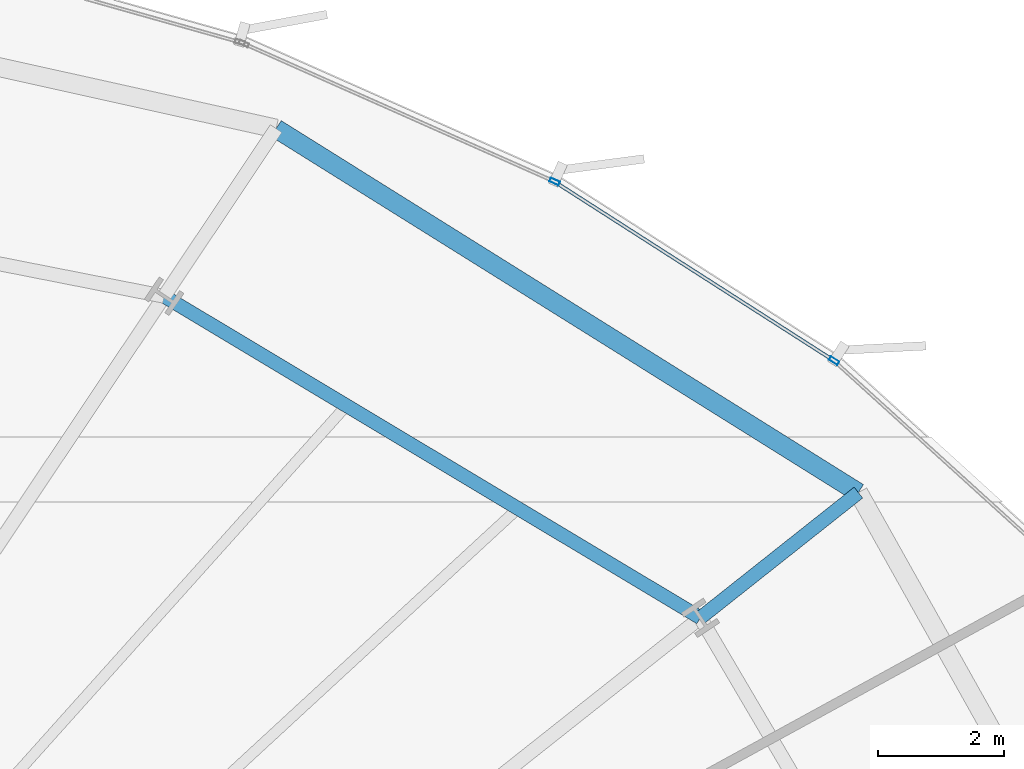
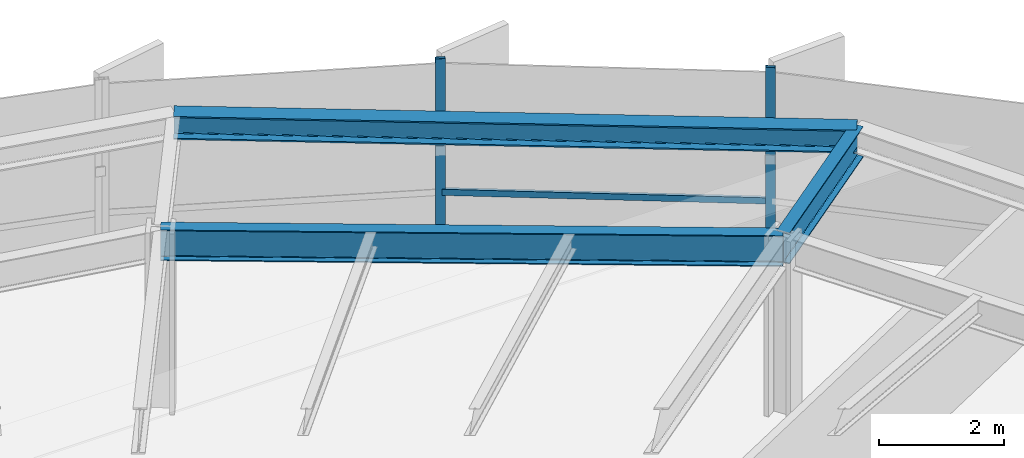
# One storey, part 24 of 37: 3 beams, 3 members, 1 element without a shape of its own.
"""IFC4 building model written with IfcOpenShell, lengths in metres."""

from ifc_helpers import new_model, si_unit, direction, frame, origin, origin_2d, place, context, subcontext, project, spatial, hollow_rectangle, i_section, extrude, source, transform, mapped, material, layer, layer_set, material_profile, profile_set, type_object, element, aggregate, save


model = new_model("IFC4")

# Units and contexts
model_context = context("Model", 3, precision=1e-05, world=origin(), true_north=direction((0.0, 1.0)))
body_context = subcontext(model_context, "Body", "Model", "MODEL_VIEW")
ifc_project = project(units=[si_unit("LENGTHUNIT", "METRE"), si_unit("AREAUNIT", "SQUARE_METRE"), si_unit("VOLUMEUNIT", "CUBIC_METRE"), si_unit("PLANEANGLEUNIT", "RADIAN"), si_unit("MASSUNIT", "GRAM", prefix="KILO"), si_unit("THERMODYNAMICTEMPERATUREUNIT", "KELVIN")], contexts=[model_context])

# Site, building, storey
site_placement = place(None, origin())
site = spatial("IfcSite", under=ifc_project, at=site_placement, CompositionType="ELEMENT")
building_placement = place(site_placement, origin())
building = spatial("IfcBuilding", under=site, at=building_placement, Name="Kethvar Cultural Tower", CompositionType="ELEMENT")
storey_placement = place(building_placement, frame((0.0, 0.0, 48.60009765625)))
storey = spatial("IfcBuildingStorey", under=building, at=storey_placement, Name="L11", CompositionType="ELEMENT", Elevation=48.60009765625)

# Beams
ifc_material_1 = material(Name="Steel S355J2", Category="steel")
ifc_material_profile_1 = material_profile(ifc_material_1, i_section(OverallWidth=0.219970703125, OverallDepth=0.60009765625, WebThickness=0.011962890625, FlangeThickness=0.01904296875, FilletRadius=0.02392578125, at=origin_2d()), Name="Steel S355J2 — IPE600")
ifc_profile_set_1 = profile_set([ifc_material_profile_1], Name="Steel S355J2 — IPE600")
beam_type_1 = type_object("IfcBeamType", Name="BM-IPE600", PredefinedType="BEAM", material=ifc_profile_set_1)
shared_shape_1 = source(origin(), body_context, "Body", "SweptSolid", [
    extrude(i_section(OverallWidth=0.219970703125, OverallDepth=0.60009765625, WebThickness=0.011962890625, FlangeThickness=0.01904296875, FilletRadius=0.02392578125, at=origin_2d()), origin(), (0.0, 0.0, 1.0), 3.199951171875),
])
beam_1_placement = place(storey_placement, frame((68.33642578125, 42.190185546875, 3.247802734375), z_axis=(0.783844666756, 0.62095695374, 0.0), x_axis=(-0.62095695374, 0.783844666756, 0.0)))
element("IfcBeam", 1, at=beam_1_placement, inside=storey, type_object=beam_type_1, Name="L11 Perimeter Cantilever Beam RC-02", PredefinedType="BEAM", context=body_context, shape_type="MappedRepresentation", body=[
    mapped(shared_shape_1, transform((0.0, 0.0, 0.0), scale=1.0)),
])
shared_shape_2 = source(origin(), body_context, "Body", "SweptSolid", [
    extrude(i_section(OverallWidth=0.219970703125, OverallDepth=0.60009765625, WebThickness=0.011962890625, FlangeThickness=0.01904296875, FilletRadius=0.02392578125, at=origin_2d()), origin(), (0.0, 0.0, 1.0), 9.924072265625),
])
beam_2_placement = place(storey_placement, frame((68.33642578125, 42.190185546875, 3.247802734375), z_axis=(-0.857664361463, 0.514209921215, 0.0), x_axis=(-0.514209921215, -0.857664361463, 0.0)))
element("IfcBeam", 2, at=beam_2_placement, inside=storey, type_object=beam_type_1, Name="L11 Column Ring Tie Beam CR-02", PredefinedType="BEAM", context=body_context, shape_type="MappedRepresentation", body=[
    mapped(shared_shape_2, transform((0.0, 0.0, 0.0), scale=1.0)),
])
ifc_material_profile_2 = material_profile(ifc_material_1, i_section(OverallWidth=0.300048828125, OverallDepth=0.449951171875, WebThickness=0.013916015625, FlangeThickness=0.02587890625, FilletRadius=0.027099609375, at=origin_2d()), Name="Steel S355J2 — HEB450")
ifc_profile_set_2 = profile_set([ifc_material_profile_2], Name="Steel S355J2 — HEB450")
beam_type_2 = type_object("IfcBeamType", Name="BM-SP450", PredefinedType="SPANDREL", material=ifc_profile_set_2)
shared_shape_3 = source(origin(), body_context, "Body", "SweptSolid", [
    extrude(i_section(OverallWidth=0.300048828125, OverallDepth=0.449951171875, WebThickness=0.013916015625, FlangeThickness=0.02587890625, FilletRadius=0.027099609375, at=origin_2d()), origin(), (0.0, 0.0, 1.0), 10.89892578125),
])
beam_3_placement = place(storey_placement, frame((70.8447265625, 44.17724609375, 3.322998046875), z_axis=(-0.847971875365, 0.530041223481, 0.0), x_axis=(-0.530041223481, -0.847971875365, 0.0)))
element("IfcBeam", 3, at=beam_3_placement, inside=storey, type_object=beam_type_2, Name="L11 Perimeter Spandrel Beam SP-02", PredefinedType="SPANDREL", context=body_context, shape_type="MappedRepresentation", body=[
    mapped(shared_shape_3, transform((0.0, 0.0, 0.0), scale=1.0)),
])

# Curtain wall, members
ifc_material_2 = material(Name="Aluminium 6063-T6", Category="aluminium")
ifc_layer = layer(ifc_material_2, 0.179931640625, Name="Aluminium 6063-T6", Category="aluminium")
ifc_layer_set = layer_set([ifc_layer], Name="Aluminium 6063-T6 (180 mm)")
curtain_wall_type = type_object("IfcCurtainWallType", Name="CW-SYS-02-Z1", PredefinedType="NOTDEFINED", material=ifc_layer_set)
curtain_wall_placement = place(storey_placement, origin())
curtain_wall = element("IfcCurtainWall", 4, at=curtain_wall_placement, inside=storey, type_object=curtain_wall_type, Name="L11 Curtain Wall Run 01", PredefinedType="NOTDEFINED")
ifc_material_profile_3 = material_profile(ifc_material_2, hollow_rectangle(XDim=0.06494140625, YDim=0.159912109375, WallThickness=0.0048828125, at=origin_2d()), Name="Aluminium 6063-T6 — RHS160x65x5")
ifc_profile_set_3 = profile_set([ifc_material_profile_3], Name="Aluminium 6063-T6 — RHS160x65x5")
member_type_1 = type_object("IfcMemberType", Name="CW-SYS-02-Z1-MUL", PredefinedType="MULLION", material=ifc_profile_set_3)
shared_shape_4 = source(origin(), body_context, "Body", "SweptSolid", [
    extrude(hollow_rectangle(XDim=0.06494140625, YDim=0.159912109375, WallThickness=0.0048828125, at=origin_2d()), origin(), (0.0, 0.0, 1.0), 3.5498046875),
])
member_1_placement = place(storey_placement, frame((70.45849609375, 46.269775390625, 0.0), z_axis=(0.0, 0.0, 1.0), x_axis=(-0.539520453445, -0.841972493799, 0.0)))
member_1 = element("IfcMember", 5, at=member_1_placement, type_object=member_type_1, Name="CW-L11-R01 Mullion 5", PredefinedType="MULLION", context=body_context, shape_type="MappedRepresentation", body=[
    mapped(shared_shape_4, transform((0.0, 0.0, 0.0), scale=1.0)),
])
member_2_placement = place(storey_placement, frame((66.022705078125, 49.113525390625, 0.0), z_axis=(0.0, 0.0, 1.0), x_axis=(-0.405763805803, -0.913977972328, 0.0)))
member_2 = element("IfcMember", 6, at=member_2_placement, type_object=member_type_1, Name="CW-L11-R01 Mullion 6", PredefinedType="MULLION", context=body_context, shape_type="MappedRepresentation", body=[
    mapped(shared_shape_4, transform((0.0, 0.0, 0.0), scale=1.0)),
])
ifc_material_profile_4 = material_profile(ifc_material_2, hollow_rectangle(XDim=0.054931640625, YDim=0.1201171875, WallThickness=0.00390625, at=origin_2d()), Name="Aluminium 6063-T6 — RHS120x55x4")
ifc_profile_set_4 = profile_set([ifc_material_profile_4], Name="Aluminium 6063-T6 — RHS120x55x4")
member_type_2 = type_object("IfcMemberType", Name="CW-SYS-02-Z1-TRN", PredefinedType="USERDEFINED", material=ifc_profile_set_4)
shared_shape_5 = source(origin(), body_context, "Body", "SweptSolid", [
    extrude(hollow_rectangle(XDim=0.054931640625, YDim=0.1201171875, WallThickness=0.00390625, at=origin_2d()), origin(), (0.0, 0.0, 1.0), 5.193603515625),
])
member_3_placement = place(storey_placement, frame((70.4189453125, 46.294921875, 0.949951171875), z_axis=(-0.84198700137, 0.539497812345, 0.0), x_axis=(-0.539497812345, -0.84198700137, 0.0)))
member_3 = element("IfcMember", 7, at=member_3_placement, type_object=member_type_2, Name="CW-L11-R01 Transom 5", ObjectType="TRANSOM", PredefinedType="USERDEFINED", context=body_context, shape_type="MappedRepresentation", body=[
    mapped(shared_shape_5, transform((0.0, 0.0, 0.0), scale=1.0)),
])
aggregate(curtain_wall, [member_1, member_2, member_3])

save(model, "model.ifc")
